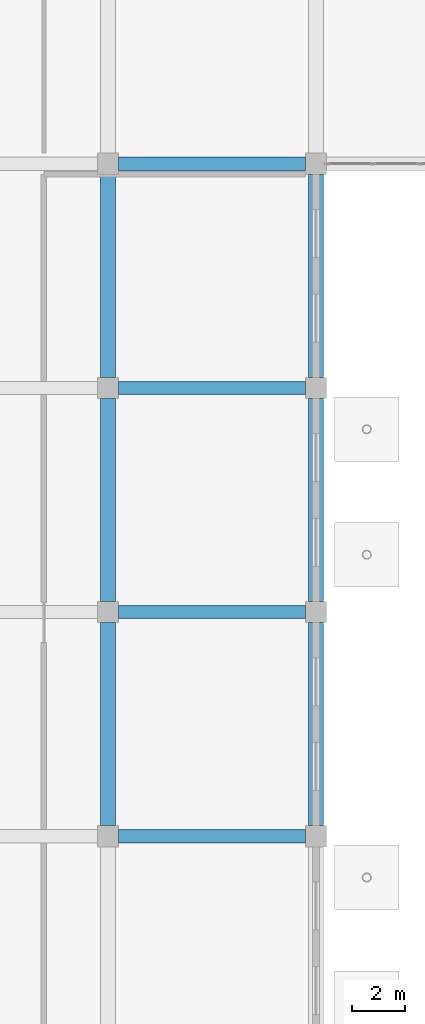
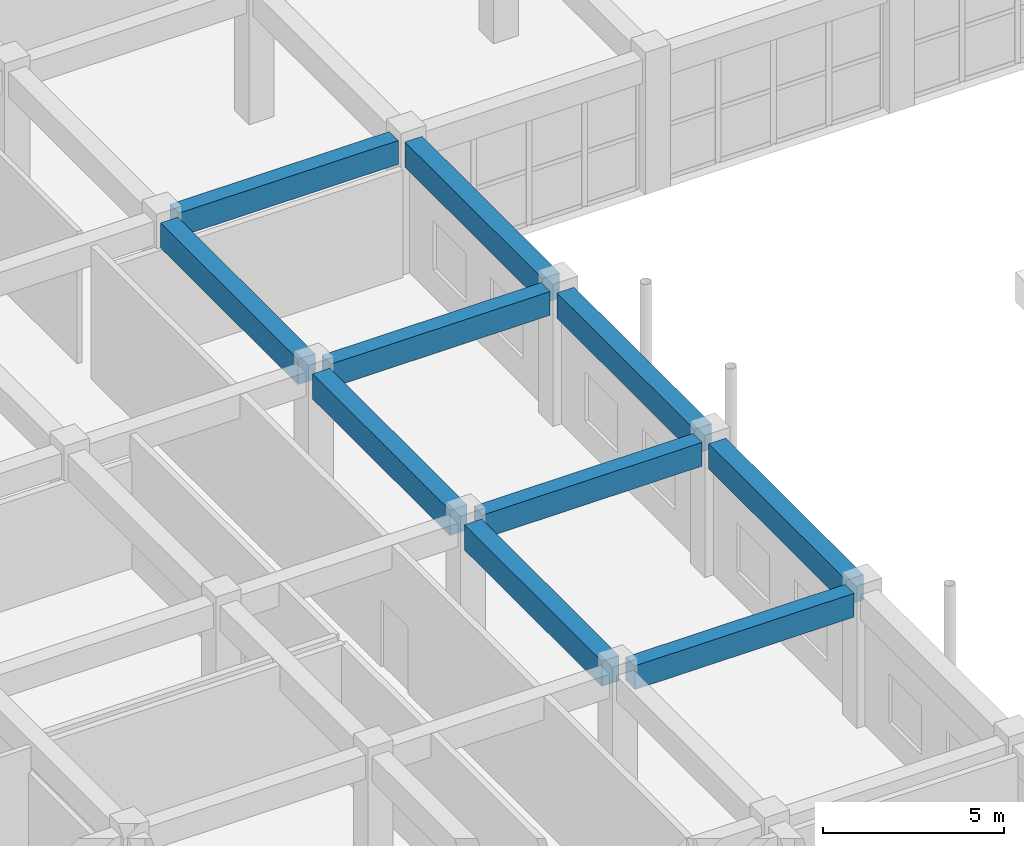
# One storey, part 40 of 139: 10 beams.
"""IFC4 building model written with IfcOpenShell, lengths in metres."""

from ifc_helpers import new_model, si_unit, direction, frame, origin, origin_2d, place, context, subcontext, project, spatial, rectangle, extrude, material, material_profile, profile_set, type_object, element, save


model = new_model("IFC4")

# Units and contexts
model_context = context("Model", 3, precision=1e-05, world=origin(), true_north=direction((0.0, 1.0)))
body_context = subcontext(model_context, "Body", "Model", "MODEL_VIEW")
ifc_project = project(units=[si_unit("LENGTHUNIT", "METRE"), si_unit("AREAUNIT", "SQUARE_METRE"), si_unit("VOLUMEUNIT", "CUBIC_METRE"), si_unit("PLANEANGLEUNIT", "RADIAN"), si_unit("MASSUNIT", "GRAM", prefix="KILO")], contexts=[model_context])

# Site, building, storey
site_placement = place(None, origin())
site = spatial("IfcSite", under=ifc_project, at=site_placement, CompositionType="ELEMENT")
building_placement = place(site_placement, origin())
building = spatial("IfcBuilding", under=site, at=building_placement, Name="Zizhar Promenade General Hospital", CompositionType="ELEMENT")
storey_placement = place(building_placement, origin())
storey = spatial("IfcBuildingStorey", under=building, at=storey_placement, Name="L00", CompositionType="ELEMENT", Elevation=0.0)

# Beams
ifc_material_1 = material(Name="Concrete C35/45", Category="concrete")
ifc_material_profile_1 = material_profile(ifc_material_1, rectangle(XDim=0.5, YDim=0.800048828125, at=origin_2d()))
ifc_profile_set_1 = profile_set([ifc_material_profile_1], Name="Concrete C35/45")
beam_type_1 = type_object("IfcBeamType", Name="BM-RC-500x800", PredefinedType="BEAM", material=ifc_profile_set_1)
for number, where, z_axis, x_axis, name in (
    (1, (62.800048828125, 67.199951171875, 4.070068359375), (1.0, 0.0, 0.0), (0.0, 1.0, 0.0), "Grid Beam X L00 (8-8)"),
    (2, (62.800048828125, 75.60009765625, 4.070068359375), (1.0, 0.0, 0.0), (0.0, 1.0, 0.0), "Grid Beam X L00 (8-9)"),
    (3, (62.800048828125, 84.0, 4.070068359375), (1.0, 0.0, 0.0), (0.0, 1.0, 0.0), "Grid Beam X L00 (8-10)"),
    (4, (62.800048828125, 92.39990234375, 4.070068359375), (1.0, 0.0, 0.0), (0.0, 1.0, 0.0), "Grid Beam X L00 (8-11)"),
):
    element("IfcBeam", number, at=place(storey_placement, frame(where, z_axis=z_axis, x_axis=x_axis)), inside=storey, type_object=beam_type_1, Name=name, PredefinedType="BEAM", context=body_context, shape_type="SweptSolid", body=[
        extrude(rectangle(XDim=0.5, YDim=0.800048828125, at=origin_2d()), origin(), (0.0, 0.0, 1.0), 7.0),
    ])
ifc_material_2 = material(Name="Concrete C35/45", Category="concrete")
ifc_material_profile_2 = material_profile(ifc_material_2, rectangle(XDim=0.550048828125, YDim=0.85009765625, at=origin_2d()))
ifc_profile_set_2 = profile_set([ifc_material_profile_2], Name="Concrete C35/45")
beam_type_2 = type_object("IfcBeamType", Name="BM-RC-550x850", PredefinedType="BEAM", material=ifc_profile_set_2)
beam_1_placement = place(storey_placement, frame((62.39990234375, 67.60009765625, 4.044921875), z_axis=(0.0, 1.0, 0.0), x_axis=(-1.0, 0.0, 0.0)))
element("IfcBeam", 5, at=beam_1_placement, inside=storey, type_object=beam_type_2, Name="Grid Beam Y L00 (8-8)", PredefinedType="BEAM", context=body_context, shape_type="SweptSolid", body=[
    extrude(rectangle(XDim=0.550048828125, YDim=0.85009765625, at=origin_2d()), origin(), (0.0, 0.0, 1.0), 7.599853515625),
])
for number, where, z_axis, x_axis, name in (
    (6, (62.39990234375, 76.0, 4.044921875), (0.0, 1.0, 0.0), (-1.0, 0.0, 0.0), "Grid Beam Y L00 (8-9)"),
    (7, (62.39990234375, 84.39990234375, 4.044921875), (0.0, 1.0, 0.0), (-1.0, 0.0, 0.0), "Grid Beam Y L00 (8-10)"),
):
    element("IfcBeam", number, at=place(storey_placement, frame(where, z_axis=z_axis, x_axis=x_axis)), inside=storey, type_object=beam_type_2, Name=name, PredefinedType="BEAM", context=body_context, shape_type="SweptSolid", body=[
        extrude(rectangle(XDim=0.550048828125, YDim=0.85009765625, at=origin_2d()), origin(), (0.0, 0.0, 1.0), 7.60009765625),
    ])
beam_2_placement = place(storey_placement, frame((70.199951171875, 67.60009765625, 4.044921875), z_axis=(0.0, 1.0, 0.0), x_axis=(-1.0, 0.0, 0.0)))
element("IfcBeam", 8, at=beam_2_placement, inside=storey, type_object=beam_type_2, Name="Grid Beam Y L00 (9-8)", PredefinedType="BEAM", context=body_context, shape_type="SweptSolid", body=[
    extrude(rectangle(XDim=0.550048828125, YDim=0.85009765625, at=origin_2d()), origin(), (0.0, 0.0, 1.0), 7.599853515625),
])
for number, where, z_axis, x_axis, name in (
    (9, (70.199951171875, 76.0, 4.044921875), (0.0, 1.0, 0.0), (-1.0, 0.0, 0.0), "Grid Beam Y L00 (9-9)"),
    (10, (70.199951171875, 84.39990234375, 4.044921875), (0.0, 1.0, 0.0), (-1.0, 0.0, 0.0), "Grid Beam Y L00 (9-10)"),
):
    element("IfcBeam", number, at=place(storey_placement, frame(where, z_axis=z_axis, x_axis=x_axis)), inside=storey, type_object=beam_type_2, Name=name, PredefinedType="BEAM", context=body_context, shape_type="SweptSolid", body=[
        extrude(rectangle(XDim=0.550048828125, YDim=0.85009765625, at=origin_2d()), origin(), (0.0, 0.0, 1.0), 7.60009765625),
    ])

save(model, "model.ifc")
